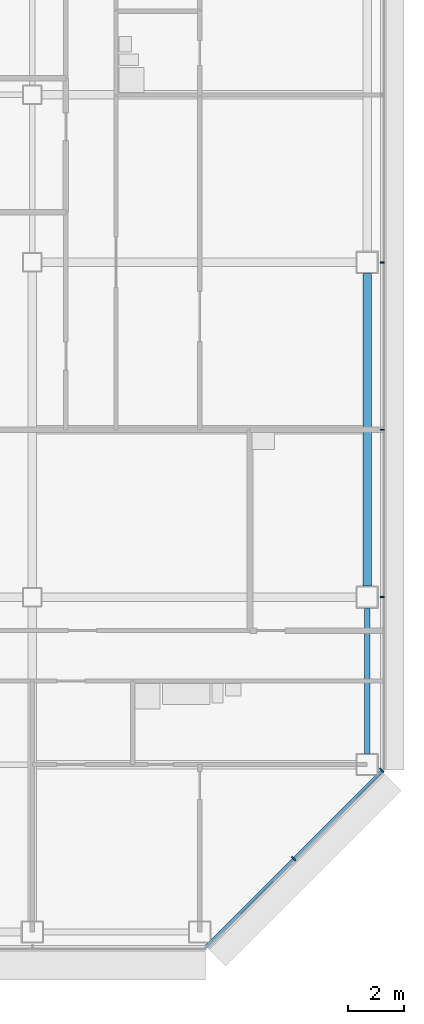
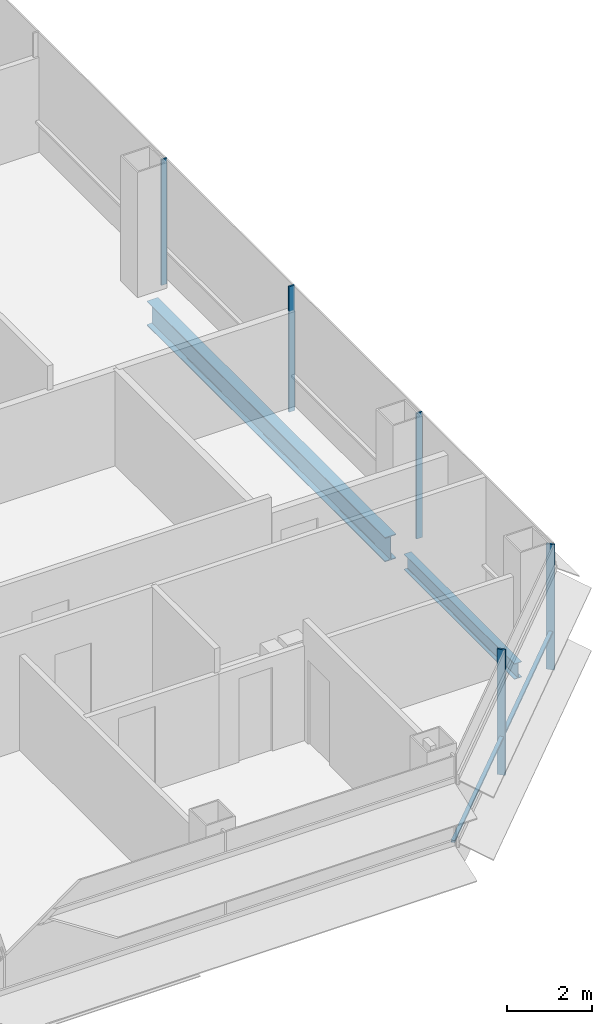
# One storey, part 15 of 25: 6 members, 2 beams, 2 elements without a shape of their own.
"""IFC4 building model written with IfcOpenShell, lengths in metres."""

from ifc_helpers import new_model, si_unit, direction, frame, origin, origin_2d, place, context, subcontext, project, spatial, rectangle, i_section, extrude, material, material_profile, profile_set, type_object, element, aggregate, save


model = new_model("IFC4")

# Units and contexts
model_context = context("Model", 3, precision=1e-05, world=origin(), true_north=direction((0.0, 1.0)))
body_context = subcontext(model_context, "Body", "Model", "MODEL_VIEW")
ifc_project = project(units=[si_unit("LENGTHUNIT", "METRE"), si_unit("AREAUNIT", "SQUARE_METRE"), si_unit("VOLUMEUNIT", "CUBIC_METRE"), si_unit("PLANEANGLEUNIT", "RADIAN"), si_unit("MASSUNIT", "GRAM", prefix="KILO")], contexts=[model_context])

# Site, building, storey
site_placement = place(None, origin())
site = spatial("IfcSite", under=ifc_project, at=site_placement, CompositionType="ELEMENT")
building_placement = place(site_placement, origin())
building = spatial("IfcBuilding", under=site, at=building_placement, Name="Sorahane Residences", CompositionType="ELEMENT")
storey_placement = place(building_placement, frame((0.0, 0.0, 143.800048828125)))
storey = spatial("IfcBuildingStorey", under=building, at=storey_placement, Name="L32", CompositionType="ELEMENT", Elevation=143.800048828125)

# Curtain wall, members
ifc_material_1 = material(Name="Dark low-e glass and black anodised aluminium", Category="aluminium")
curtain_wall_type_1 = type_object("IfcCurtainWallType", Name="Curtain wall CW-1 Typical unitised wall", PredefinedType="NOTDEFINED", material=ifc_material_1)
curtain_wall_1_placement = place(storey_placement, origin())
curtain_wall_1 = element("IfcCurtainWall", 1, at=curtain_wall_1_placement, inside=storey, type_object=curtain_wall_type_1, Name="CW-1 curtain wall L32 E1", PredefinedType="NOTDEFINED")
ifc_material_2 = material(Name="Black anodised aluminium", Category="aluminium")
ifc_material_profile_1 = material_profile(ifc_material_2, rectangle(XDim=0.159912109375, YDim=0.050048828125, at=origin_2d()), Name="Curtain wall mullion CW-1 black anodised aluminium 50x160")
ifc_profile_set_1 = profile_set([ifc_material_profile_1], Name="Black anodised aluminium")
member_type_1 = type_object("IfcMemberType", Name="Curtain wall mullion CW-1 black anodised aluminium 50x160", PredefinedType="MULLION", material=ifc_profile_set_1)
member_1_placement = place(storey_placement, frame((60.5400390625, 12.0, -0.179931640625), z_axis=(0.0, 0.0, 1.0), x_axis=(1.0, 0.0, 0.0)))
member_1 = element("IfcMember", 2, at=member_1_placement, type_object=member_type_1, Name="CW-1 mullion L32 E1.2", PredefinedType="MULLION", context=body_context, shape_type="SweptSolid", body=[
    extrude(rectangle(XDim=0.159912109375, YDim=0.050048828125, at=origin_2d()), origin(), (0.0, 0.0, 1.0), 3.599853515625),
])
member_2_placement = place(storey_placement, frame((60.5400390625, 18.0, -0.179931640625), z_axis=(0.0, 0.0, 1.0), x_axis=(1.0, 0.0, 0.0)))
member_2 = element("IfcMember", 3, at=member_2_placement, type_object=member_type_1, Name="CW-1 mullion L32 E1.3", PredefinedType="MULLION", context=body_context, shape_type="SweptSolid", body=[
    extrude(rectangle(XDim=0.159912109375, YDim=0.050048828125, at=origin_2d()), origin(), (0.0, 0.0, 1.0), 3.599853515625),
])
member_3_placement = place(storey_placement, frame((60.5400390625, 24.0, -0.179931640625), z_axis=(0.0, 0.0, 1.0), x_axis=(1.0, 0.0, 0.0)))
member_3 = element("IfcMember", 4, at=member_3_placement, type_object=member_type_1, Name="CW-1 mullion L32 E1.4", PredefinedType="MULLION", context=body_context, shape_type="SweptSolid", body=[
    extrude(rectangle(XDim=0.159912109375, YDim=0.050048828125, at=origin_2d()), origin(), (0.0, 0.0, 1.0), 3.599853515625),
])
aggregate(curtain_wall_1, [member_1, member_2, member_3])

ifc_material_3 = material(Name="Dark low-e glass and black anodised aluminium", Category="aluminium")
curtain_wall_type_2 = type_object("IfcCurtainWallType", Name="Curtain wall CW-2 Chamfer unitised wall", PredefinedType="NOTDEFINED", material=ifc_material_3)
curtain_wall_2_placement = place(storey_placement, origin())
curtain_wall_2 = element("IfcCurtainWall", 5, at=curtain_wall_2_placement, inside=storey, type_object=curtain_wall_type_2, Name="CW-2 curtain wall L32 SE1", PredefinedType="NOTDEFINED")
ifc_material_4 = material(Name="Black anodised aluminium", Category="aluminium")
ifc_material_profile_2 = material_profile(ifc_material_4, rectangle(XDim=0.199951171875, YDim=0.050048828125, at=origin_2d()), Name="Curtain wall mullion CW-2 black anodised aluminium 50x200")
ifc_profile_set_2 = profile_set([ifc_material_profile_2], Name="Black anodised aluminium")
member_type_2 = type_object("IfcMemberType", Name="Curtain wall mullion CW-2 black anodised aluminium 50x200", PredefinedType="MULLION", material=ifc_profile_set_2)
member_4_placement = place(storey_placement, frame((57.36767578125, 2.63232421875, -0.179931640625), z_axis=(0.0, 0.0, 1.0), x_axis=(0.707106781187, -0.707106781187, 0.0)))
member_4 = element("IfcMember", 6, at=member_4_placement, type_object=member_type_2, Name="CW-2 mullion L32 SE1.2", PredefinedType="MULLION", context=body_context, shape_type="SweptSolid", body=[
    extrude(rectangle(XDim=0.199951171875, YDim=0.050048828125, at=origin_2d()), origin(), (0.0, 0.0, 1.0), 3.599853515625),
])
member_5_placement = place(storey_placement, frame((60.525634765625, 5.790283203125, -0.179931640625), z_axis=(0.0, 0.0, 1.0), x_axis=(0.707106781187, -0.707106781187, 0.0)))
member_5 = element("IfcMember", 7, at=member_5_placement, type_object=member_type_2, Name="CW-2 mullion L32 SE1.3", PredefinedType="MULLION", context=body_context, shape_type="SweptSolid", body=[
    extrude(rectangle(XDim=0.199951171875, YDim=0.050048828125, at=origin_2d()), origin(), (0.0, 0.0, 1.0), 3.599853515625),
])
ifc_material_5 = material(Name="Black anodised aluminium", Category="aluminium")
ifc_material_profile_3 = material_profile(ifc_material_5, rectangle(XDim=0.10009765625, YDim=0.06005859375, at=origin_2d()), Name="Curtain wall transom CW-2 black anodised aluminium 60x100")
ifc_profile_set_3 = profile_set([ifc_material_profile_3], Name="Black anodised aluminium")
member_type_3 = type_object("IfcMemberType", Name="Curtain wall transom CW-2 black anodised aluminium 60x100", PredefinedType="USERDEFINED", material=ifc_profile_set_3)
member_6_placement = place(storey_placement, frame((54.234375, -0.51513671875, 0.89990234375), z_axis=(0.707106781187, 0.707106781187, 0.0), x_axis=(-0.707106781187, 0.707106781187, 0.0)))
member_6 = element("IfcMember", 8, at=member_6_placement, type_object=member_type_3, Name="CW-2 transom L32 SE1", ObjectType="TRANSOM", PredefinedType="USERDEFINED", context=body_context, shape_type="SweptSolid", body=[
    extrude(rectangle(XDim=0.10009765625, YDim=0.06005859375, at=origin_2d()), origin(), (0.0, 0.0, 1.0), 8.88232421875),
])
aggregate(curtain_wall_2, [member_4, member_5, member_6])

# Beams
ifc_material_6 = material(Name="Steel Q355B", Category="steel")
ifc_material_profile_4 = material_profile(ifc_material_6, i_section(OverallWidth=0.199951171875, OverallDepth=0.449951171875, WebThickness=0.009033203125, FlangeThickness=0.013916015625, FilletRadius=0.02001953125, at=origin_2d()), Name="HN 450x200x9x14")
ifc_profile_set_4 = profile_set([ifc_material_profile_4], Name="Steel Q355B")
beam_type_1 = type_object("IfcBeamType", Name="Steel floor beam HN 450x200x9x14 Q355B", PredefinedType="BEAM", material=ifc_profile_set_4)
beam_1_placement = place(storey_placement, frame((60.0, 6.39990234375, -0.405029296875), z_axis=(0.0, 1.0, 0.0), x_axis=(-1.0, 0.0, 0.0)))
element("IfcBeam", 9, at=beam_1_placement, inside=storey, type_object=beam_type_1, Name="Beam L32 064", PredefinedType="BEAM", context=body_context, shape_type="SweptSolid", body=[
    extrude(i_section(OverallWidth=0.199951171875, OverallDepth=0.449951171875, WebThickness=0.009033203125, FlangeThickness=0.013916015625, FilletRadius=0.02001953125, at=origin_2d()), origin(), (0.0, 0.0, 1.0), 5.2001953125),
])
ifc_material_7 = material(Name="Steel Q355B", Category="steel")
ifc_material_profile_5 = material_profile(ifc_material_7, i_section(OverallWidth=0.300048828125, OverallDepth=0.699951171875, WebThickness=0.012939453125, FlangeThickness=0.02392578125, FilletRadius=0.028076171875, at=origin_2d()), Name="HN 700x300x13x24")
ifc_profile_set_5 = profile_set([ifc_material_profile_5], Name="Steel Q355B")
beam_type_2 = type_object("IfcBeamType", Name="Steel floor beam HN 700x300x13x24 Q355B", PredefinedType="BEAM", material=ifc_profile_set_5)
beam_2_placement = place(storey_placement, frame((60.0, 12.39990234375, -0.530029296875), z_axis=(0.0, 1.0, 0.0), x_axis=(-1.0, 0.0, 0.0)))
element("IfcBeam", 10, at=beam_2_placement, inside=storey, type_object=beam_type_2, Name="Beam L32 065", PredefinedType="BEAM", context=body_context, shape_type="SweptSolid", body=[
    extrude(i_section(OverallWidth=0.300048828125, OverallDepth=0.699951171875, WebThickness=0.012939453125, FlangeThickness=0.02392578125, FilletRadius=0.028076171875, at=origin_2d()), origin(), (0.0, 0.0, 1.0), 11.2001953125),
])

save(model, "model.ifc")
